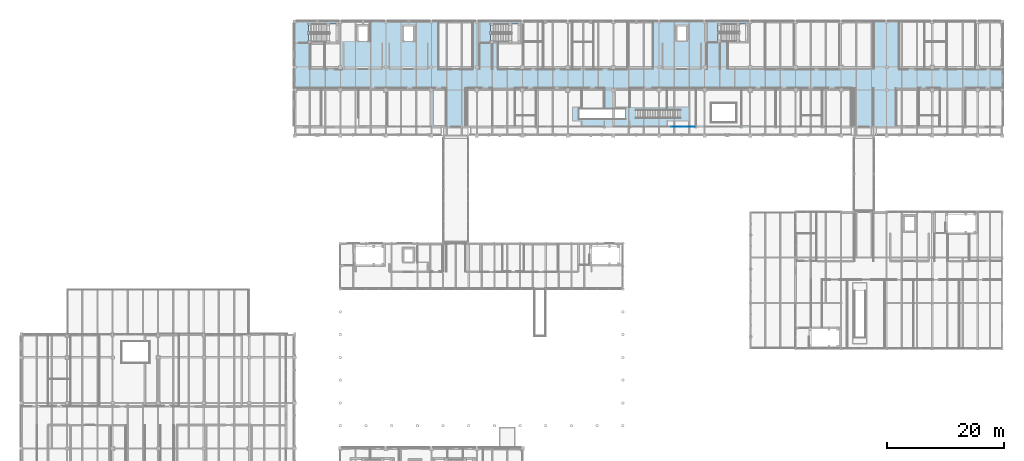
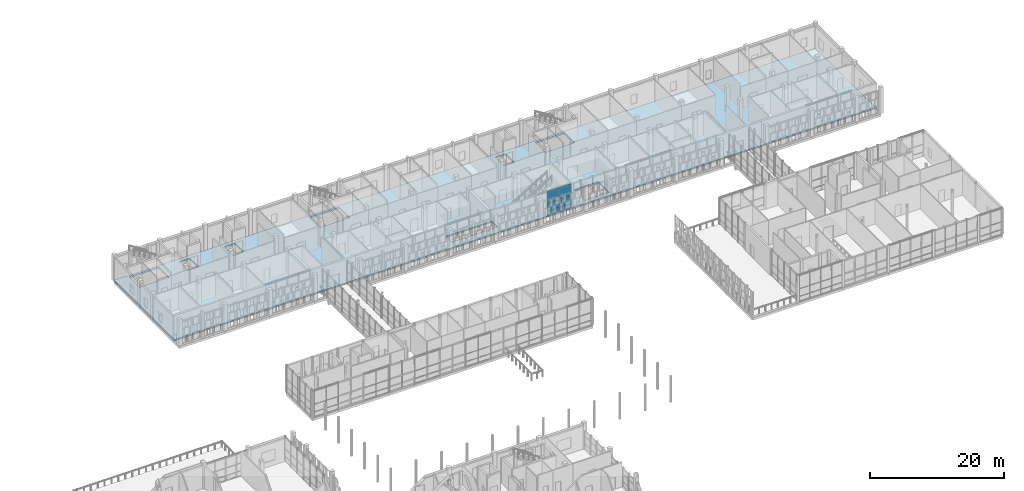
# One storey, part 85 of 138: 6 plates, 1 slab, 1 element without a shape of its own.
"""IFC4 building model written with IfcOpenShell, lengths in metres."""

from ifc_helpers import new_model, si_unit, direction, frame, origin, origin_2d, place, context, subcontext, project, spatial, polyline, rectangle, outline, extrude, material, layer, layer_set, type_object, element, aggregate, save


model = new_model("IFC4")

# Units and contexts
model_context = context("Model", 3, precision=1e-05, world=origin(), true_north=direction((0.0, 1.0)))
body_context = subcontext(model_context, "Body", "Model", "MODEL_VIEW")
ifc_project = project(units=[si_unit("LENGTHUNIT", "METRE"), si_unit("AREAUNIT", "SQUARE_METRE"), si_unit("VOLUMEUNIT", "CUBIC_METRE"), si_unit("PLANEANGLEUNIT", "RADIAN"), si_unit("MASSUNIT", "GRAM", prefix="KILO")], contexts=[model_context])

# Site, building, storey
site_placement = place(None, origin())
site = spatial("IfcSite", under=ifc_project, at=site_placement, CompositionType="ELEMENT")
building_placement = place(site_placement, origin())
building = spatial("IfcBuilding", under=site, at=building_placement, Name="Celorna Specialist Clinic", CompositionType="ELEMENT")
storey_placement = place(building_placement, frame((0.0, 0.0, 4.800048828125)))
storey = spatial("IfcBuildingStorey", under=building, at=storey_placement, Name="L01", CompositionType="ELEMENT", Elevation=4.800048828125)

# Curtain wall, plates
ifc_material_1 = material(Name="Thermally broken aluminium and solar-control glass curtain wall", Category="aluminium")
ifc_layer_1 = layer(ifc_material_1, 0.159912109375, Name="Thermally broken aluminium and solar-control glass curtain wall")
ifc_layer_set_1 = layer_set([ifc_layer_1], Name="Thermally broken aluminium and solar-control glass curtain wall")
curtain_wall_type = type_object("IfcCurtainWallType", Name="CW-58", PredefinedType="NOTDEFINED", material=ifc_layer_set_1)
curtain_wall_placement = place(storey_placement, origin())
curtain_wall = element("IfcCurtainWall", 1, at=curtain_wall_placement, inside=storey, type_object=curtain_wall_type, Name="Curtain wall CW-58 #112", PredefinedType="NOTDEFINED")
ifc_material_2 = material(Name="Solar-control triple glazing", Category="glass")
ifc_layer_2 = layer(ifc_material_2, 0.035888671875, Name="Solar-control triple glazing")
ifc_layer_set_2 = layer_set([ifc_layer_2], Name="Solar-control triple glazing")
plate_type = type_object("IfcPlateType", Name="CPN-02", PredefinedType="CURTAIN_PANEL", material=ifc_layer_set_2)
plate_1_placement = place(storey_placement, frame((114.309814453125, 98.0, 0.0498046875), z_axis=(0.0, 0.0, 1.0), x_axis=(-1.0, 0.0, 0.0)))
plate_1 = element("IfcPlate", 2, at=plate_1_placement, type_object=plate_type, Name="CW-58 panel 1.1", PredefinedType="CURTAIN_PANEL", context=body_context, shape_type="SweptSolid", body=[
    extrude(rectangle(XDim=1.972412109375, YDim=0.035888671875, at=origin_2d()), origin(), (0.0, 0.0, 1.0), 0.824951171875),
])
plate_2_placement = place(storey_placement, frame((114.309814453125, 98.0, 0.9248046875), z_axis=(0.0, 0.0, 1.0), x_axis=(-1.0, 0.0, 0.0)))
plate_2 = element("IfcPlate", 3, at=plate_2_placement, type_object=plate_type, Name="CW-58 panel 1.2", PredefinedType="CURTAIN_PANEL", context=body_context, shape_type="SweptSolid", body=[
    extrude(rectangle(XDim=1.972412109375, YDim=0.035888671875, at=origin_2d()), origin(), (0.0, 0.0, 1.0), 1.35009765625),
])
plate_3_placement = place(storey_placement, frame((114.309814453125, 98.0, 2.324951171875), z_axis=(0.0, 0.0, 1.0), x_axis=(-1.0, 0.0, 0.0)))
plate_3 = element("IfcPlate", 4, at=plate_3_placement, type_object=plate_type, Name="CW-58 panel 1.3", PredefinedType="CURTAIN_PANEL", context=body_context, shape_type="SweptSolid", body=[
    extrude(rectangle(XDim=1.972412109375, YDim=0.035888671875, at=origin_2d()), origin(), (0.0, 0.0, 1.0), 2.1650390625),
])
plate_4_placement = place(storey_placement, frame((112.27490234375, 98.0, 0.0498046875), z_axis=(0.0, 0.0, 1.0), x_axis=(-1.0, 0.0, 0.0)))
plate_4 = element("IfcPlate", 5, at=plate_4_placement, type_object=plate_type, Name="CW-58 panel 2.1", PredefinedType="CURTAIN_PANEL", context=body_context, shape_type="SweptSolid", body=[
    extrude(rectangle(XDim=1.997314453125, YDim=0.035888671875, at=origin_2d()), origin(), (0.0, 0.0, 1.0), 0.824951171875),
])
plate_5_placement = place(storey_placement, frame((112.27490234375, 98.0, 0.9248046875), z_axis=(0.0, 0.0, 1.0), x_axis=(-1.0, 0.0, 0.0)))
plate_5 = element("IfcPlate", 6, at=plate_5_placement, type_object=plate_type, Name="CW-58 panel 2.2", PredefinedType="CURTAIN_PANEL", context=body_context, shape_type="SweptSolid", body=[
    extrude(rectangle(XDim=1.997314453125, YDim=0.035888671875, at=origin_2d()), origin(), (0.0, 0.0, 1.0), 1.35009765625),
])
plate_6_placement = place(storey_placement, frame((112.27490234375, 98.0, 2.324951171875), z_axis=(0.0, 0.0, 1.0), x_axis=(-1.0, 0.0, 0.0)))
plate_6 = element("IfcPlate", 7, at=plate_6_placement, type_object=plate_type, Name="CW-58 panel 2.3", PredefinedType="CURTAIN_PANEL", context=body_context, shape_type="SweptSolid", body=[
    extrude(rectangle(XDim=1.997314453125, YDim=0.035888671875, at=origin_2d()), origin(), (0.0, 0.0, 1.0), 2.1650390625),
])
aggregate(curtain_wall, [plate_1, plate_2, plate_3, plate_4, plate_5, plate_6])

# Slab
ifc_material_3 = material(Name="Concrete C35/45", Category="concrete")
ifc_layer_3 = layer(ifc_material_3, 0.260009765625, Name="Concrete C35/45")
ifc_layer_set_3 = layer_set([ifc_layer_3], Name="Concrete C35/45")
slab_type = type_object("IfcSlabType", Name="SL-08", PredefinedType="FLOOR", material=ifc_layer_set_3)
slab_placement = place(storey_placement, frame((0.0, 0.0, -0.260009765625)))
element("IfcSlab", 8, at=slab_placement, inside=storey, type_object=slab_type, Name="V4 L01 structural slab SL-08", PredefinedType="FLOOR", context=body_context, shape_type="SweptSolid", body=[
    extrude(outline(polyline([(168.0, 98.0), (168.0, 116.0), (46.800048828125, 116.0), (46.800048828125, 98.0), (168.0, 98.0)]), holes=[polyline([(49.139892578125, 112.52001953125), (54.239990234375, 112.52001953125), (54.239990234375, 115.6201171875), (49.139892578125, 115.6201171875), (49.139892578125, 112.52001953125)]), polyline([(80.340087890625, 112.52001953125), (85.43994140625, 112.52001953125), (85.43994140625, 115.6201171875), (80.340087890625, 115.6201171875), (80.340087890625, 112.52001953125)]), polyline([(119.340087890625, 112.6201171875), (124.43994140625, 112.6201171875), (124.43994140625, 115.6201171875), (119.340087890625, 115.6201171875), (119.340087890625, 112.6201171875)]), polyline([(95.5, 99.344970703125), (103.43505859375, 99.344970703125), (103.43505859375, 101.054931640625), (95.5, 101.054931640625), (95.5, 99.344970703125)]), polyline([(57.594970703125, 112.695068359375), (59.405029296875, 112.695068359375), (59.405029296875, 115.304931640625), (57.594970703125, 115.304931640625), (57.594970703125, 112.695068359375)]), polyline([(65.39501953125, 112.695068359375), (67.205078125, 112.695068359375), (67.205078125, 115.304931640625), (65.39501953125, 115.304931640625), (65.39501953125, 112.695068359375)]), polyline([(112.219970703125, 112.719970703125), (113.97998046875, 112.719970703125), (113.97998046875, 115.280029296875), (112.219970703125, 115.280029296875), (112.219970703125, 112.719970703125)]), polyline([(118.199951171875, 98.800048828125), (122.39990234375, 98.800048828125), (122.39990234375, 102.0), (118.199951171875, 102.0), (118.199951171875, 98.800048828125)])]), origin(), (0.0, 0.0, 1.0), 0.260009765625),
])

save(model, "model.ifc")
